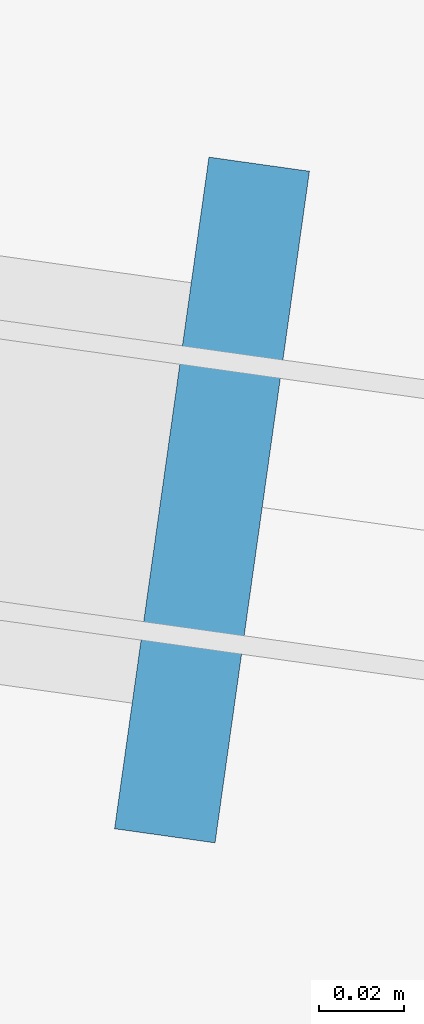
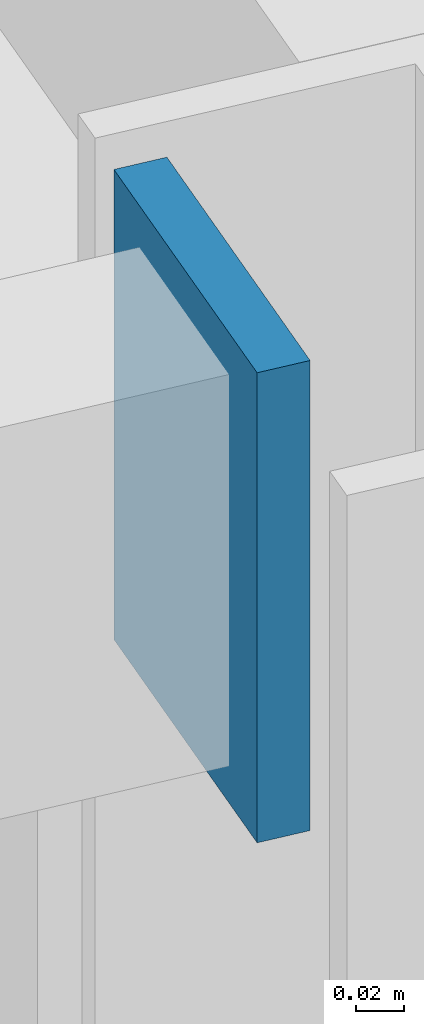
# One storey, part 38 of 57: 1 plate.
"""IFC4 building model written with IfcOpenShell, lengths in metres."""

from ifc_helpers import new_model, si_unit, direction, frame, origin, origin_2d, place, context, subcontext, project, spatial, rectangle, extrude, material, layer, layer_set, type_object, element, save


model = new_model("IFC4")

# Units and contexts
model_context = context("Model", 3, precision=1e-05, world=origin(), true_north=direction((0.0, 1.0)))
body_context = subcontext(model_context, "Body", "Model", "MODEL_VIEW")
ifc_project = project(units=[si_unit("LENGTHUNIT", "METRE"), si_unit("AREAUNIT", "SQUARE_METRE"), si_unit("VOLUMEUNIT", "CUBIC_METRE"), si_unit("PLANEANGLEUNIT", "RADIAN"), si_unit("MASSUNIT", "GRAM", prefix="KILO")], contexts=[model_context])

# Site, building, storey
site_placement = place(None, origin())
site = spatial("IfcSite", under=ifc_project, at=site_placement, CompositionType="ELEMENT")
building_placement = place(site_placement, origin())
building = spatial("IfcBuilding", under=site, at=building_placement, Name="Kharisveld Research Institute", CompositionType="ELEMENT")
storey_placement = place(building_placement, origin())
storey = spatial("IfcBuildingStorey", under=building, at=storey_placement, Name="L00", CompositionType="ELEMENT", Elevation=0.0)

# Plate
ifc_material = material(Name="Steel S355JR", Category="steel")
ifc_layer = layer(ifc_material, 0.01806640625)
ifc_layer_set = layer_set([ifc_layer], Name="PL_CAP_B")
plate_type = type_object("IfcPlateType", Name="PL_CAP_B", PredefinedType="SHEET", material=ifc_layer_set)
plate_placement = place(storey_placement, frame((103.37109375, 13.5126953125, 4.7001953125), z_axis=(0.0, 0.0, 1.0), x_axis=(0.990268068742, -0.13917310096, 0.0)))
element("IfcPlate", 1, at=plate_placement, inside=storey, type_object=plate_type, Name="PLT:CAP:BM:V4:L00:U3_0:1", PredefinedType="SHEET", context=body_context, shape_type="SweptSolid", body=[
    extrude(rectangle(XDim=0.02392578125, YDim=0.159912109375, at=origin_2d()), origin(), (0.0, 0.0, 1.0), 0.239990234375),
])

save(model, "model.ifc")
